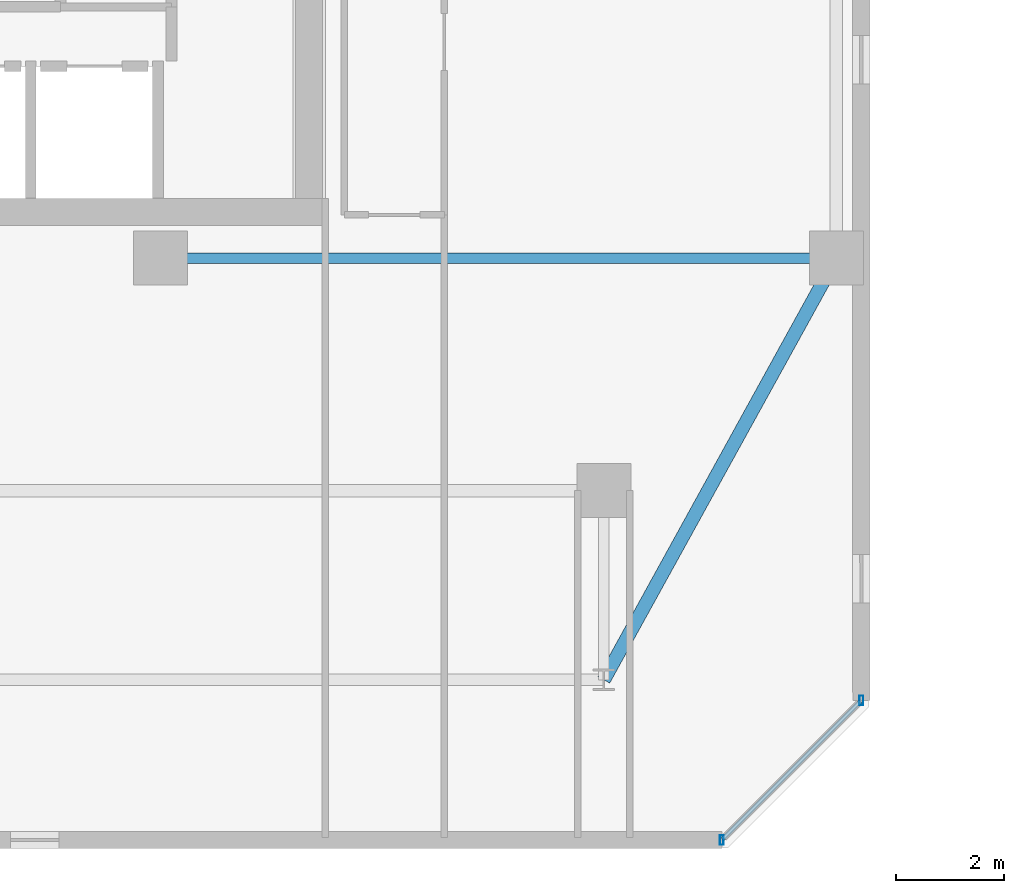
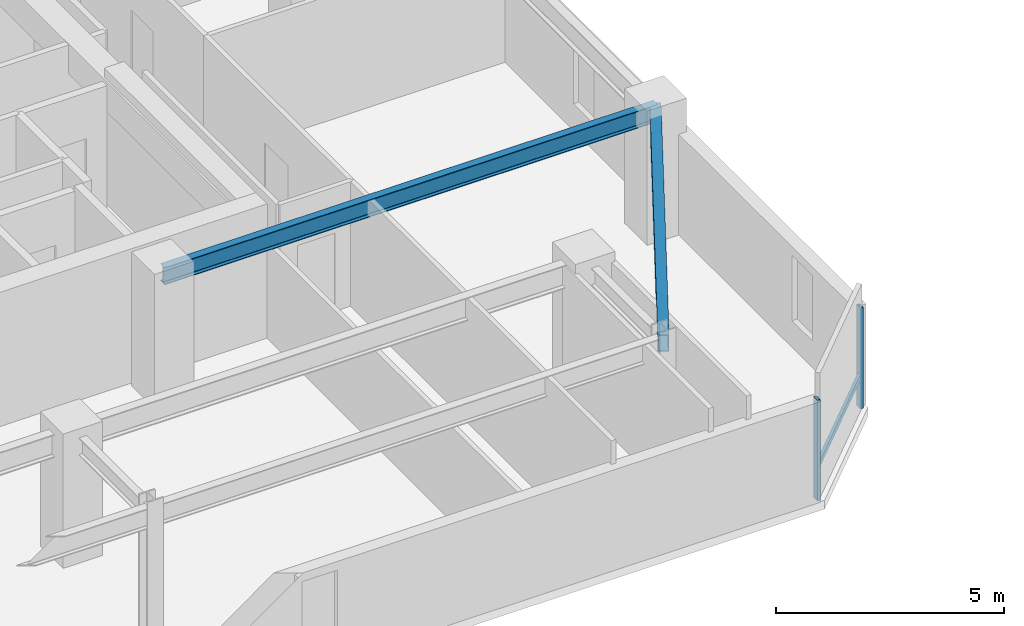
# One storey, part 5 of 32: 3 members, 2 beams, 1 element without a shape of its own.
"""IFC4 building model written with IfcOpenShell, lengths in metres."""

from ifc_helpers import new_model, si_unit, direction, frame, origin, origin_2d, place, context, subcontext, project, spatial, hollow_rectangle, i_section, extrude, material, material_profile, profile_set, type_object, element, aggregate, save


model = new_model("IFC4")

# Units and contexts
model_context = context("Model", 3, precision=1e-05, world=origin(), true_north=direction((0.0, 1.0)))
body_context = subcontext(model_context, "Body", "Model", "MODEL_VIEW")
ifc_project = project(units=[si_unit("LENGTHUNIT", "METRE"), si_unit("AREAUNIT", "SQUARE_METRE"), si_unit("VOLUMEUNIT", "CUBIC_METRE"), si_unit("PLANEANGLEUNIT", "RADIAN"), si_unit("MASSUNIT", "GRAM", prefix="KILO")], contexts=[model_context])

# Site, building, storey
site_placement = place(None, origin())
site = spatial("IfcSite", under=ifc_project, at=site_placement, CompositionType="ELEMENT")
building_placement = place(site_placement, origin())
building = spatial("IfcBuilding", under=site, at=building_placement, Name="Thornwick Lancets Civic Towers", CompositionType="ELEMENT")
storey_placement = place(building_placement, frame((0.0, 0.0, 247.5)))
storey = spatial("IfcBuildingStorey", under=building, at=storey_placement, Name="L66", CompositionType="ELEMENT", Elevation=247.5)

# Beams
ifc_material_1 = material(Name="Steel S355JR", Category="steel")
ifc_material_profile_1 = material_profile(ifc_material_1, i_section(OverallWidth=0.19189453125, OverallDepth=0.46337890625, WebThickness=0.010498046875, FlangeThickness=0.017578125, FilletRadius=0.01025390625, at=origin_2d()), Name="UKB 457x191x89")
ifc_profile_set_1 = profile_set([ifc_material_profile_1], Name="Steel S355JR")
beam_type_1 = type_object("IfcBeamType", Name="BM_JOIST_457_89", PredefinedType="JOIST", material=ifc_profile_set_1)
beam_1_placement = place(storey_placement, frame((30.300048828125, 14.0, 3.12841796875), z_axis=(1.0, 0.0, 0.0), x_axis=(0.0, 1.0, 0.0)))
element("IfcBeam", 1, at=beam_1_placement, inside=storey, type_object=beam_type_1, Name="BM-RADIN-L66-A04", PredefinedType="JOIST", context=body_context, shape_type="SweptSolid", body=[
    extrude(i_section(OverallWidth=0.19189453125, OverallDepth=0.46337890625, WebThickness=0.010498046875, FlangeThickness=0.017578125, FilletRadius=0.01025390625, at=origin_2d()), origin(), (0.0, 0.0, 1.0), 12.5),
])
ifc_material_profile_2 = material_profile(ifc_material_1, hollow_rectangle(XDim=0.25, YDim=0.449951171875, WallThickness=0.01611328125, at=origin_2d()), Name="RHS 450x250x16")
ifc_profile_set_2 = profile_set([ifc_material_profile_2], Name="Steel S355JR")
beam_type_2 = type_object("IfcBeamType", Name="BM_RING_RHS450", PredefinedType="BEAM", material=ifc_profile_set_2)
beam_2_placement = place(storey_placement, frame((38.5, 6.199951171875, 3.135009765625), z_axis=(0.482782395749, 0.875740348708, 0.0), x_axis=(-0.875740348708, 0.482782395749, 0.0)))
element("IfcBeam", 2, at=beam_2_placement, inside=storey, type_object=beam_type_2, Name="BM-CHAMF-L66-A-C0", PredefinedType="BEAM", context=body_context, shape_type="SweptSolid", body=[
    extrude(hollow_rectangle(XDim=0.25, YDim=0.449951171875, WallThickness=0.01611328125, at=origin_2d()), origin(), (0.0, 0.0, 1.0), 8.90673828125),
])

# Curtain wall, members
ifc_material_2 = material(Name="High-zone chamfered-corner unitised glass curtain wall", Category="glass")
curtain_wall_type = type_object("IfcCurtainWallType", Name="CW_SYS_05", PredefinedType="NOTDEFINED", material=ifc_material_2)
curtain_wall_placement = place(storey_placement, origin())
curtain_wall = element("IfcCurtainWall", 3, at=curtain_wall_placement, inside=storey, type_object=curtain_wall_type, Name="L66 Curtain Wall CW-L66-A-E1", PredefinedType="NOTDEFINED")
ifc_material_3 = material(Name="Thermally broken bronze aluminium S355", Category="steel")
ifc_material_profile_3 = material_profile(ifc_material_3, hollow_rectangle(XDim=0.074951171875, YDim=0.179931640625, WallThickness=0.006103515625, at=origin_2d()), Name="RHS 180x75x6")
ifc_profile_set_3 = profile_set([ifc_material_profile_3], Name="Thermally broken bronze aluminium S355")
member_type_1 = type_object("IfcMemberType", Name="CW_MUL_180", PredefinedType="MULLION", material=ifc_profile_set_3)
member_1_placement = place(storey_placement, frame((40.681396484375, 3.2353515625, 0.0), z_axis=(0.0, 0.0, 1.0), x_axis=(1.0, 0.0, 0.0)))
member_1 = element("IfcMember", 4, at=member_1_placement, type_object=member_type_1, Name="CW-L66-A-E1 Mullion 0", PredefinedType="MULLION", context=body_context, shape_type="SweptSolid", body=[
    extrude(hollow_rectangle(XDim=0.074951171875, YDim=0.179931640625, WallThickness=0.006103515625, at=origin_2d()), origin(), (0.0, 0.0, 1.0), 2.699951171875),
])
member_2_placement = place(storey_placement, frame((43.2646484375, 5.818603515625, 0.0), z_axis=(0.0, 0.0, 1.0), x_axis=(1.0, 0.0, 0.0)))
member_2 = element("IfcMember", 5, at=member_2_placement, type_object=member_type_1, Name="CW-L66-A-E1 Mullion 1", PredefinedType="MULLION", context=body_context, shape_type="SweptSolid", body=[
    extrude(hollow_rectangle(XDim=0.074951171875, YDim=0.179931640625, WallThickness=0.006103515625, at=origin_2d()), origin(), (0.0, 0.0, 1.0), 2.699951171875),
])
ifc_material_profile_4 = material_profile(ifc_material_3, hollow_rectangle(XDim=0.074951171875, YDim=0.14990234375, WallThickness=0.0048828125, at=origin_2d()), Name="RHS 150x75x5")
ifc_profile_set_4 = profile_set([ifc_material_profile_4], Name="Thermally broken bronze aluminium S355")
member_type_2 = type_object("IfcMemberType", Name="CW_TRN_150", PredefinedType="USERDEFINED", material=ifc_profile_set_4)
member_3_placement = place(storey_placement, frame((40.695556640625, 3.24951171875, 0.85009765625), z_axis=(0.707106781187, 0.707106781187, 0.0), x_axis=(-0.707106781187, 0.707106781187, 0.0)))
member_3 = element("IfcMember", 6, at=member_3_placement, type_object=member_type_2, Name="CW-L66-A-E1 Transom 0", ObjectType="TRANSOM", PredefinedType="USERDEFINED", context=body_context, shape_type="SweptSolid", body=[
    extrude(hollow_rectangle(XDim=0.074951171875, YDim=0.14990234375, WallThickness=0.0048828125, at=origin_2d()), origin(), (0.0, 0.0, 1.0), 3.61328125),
])
aggregate(curtain_wall, [member_1, member_2, member_3])

save(model, "model.ifc")
